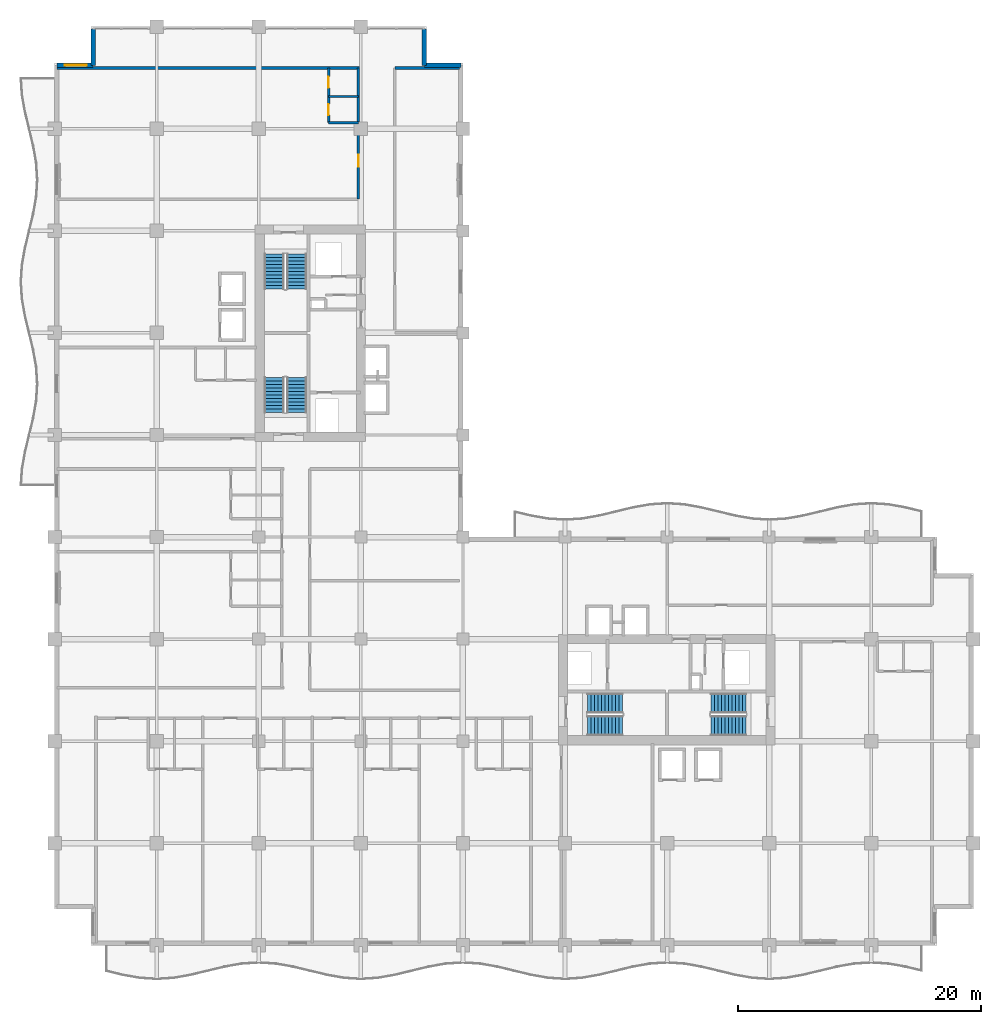
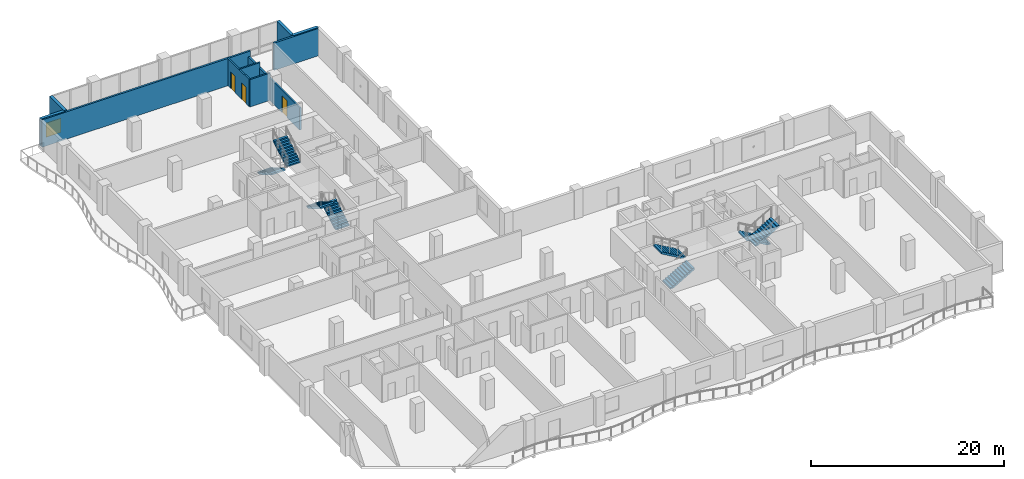
# One storey, part 13 of 20: 10 walls, 8 stair flights, 3 doors, 1 window, 4 openings, 4 elements without a shape of their own.
"""IFC4 building model written with IfcOpenShell, lengths in metres."""

from ifc_helpers import new_model, si_unit, direction, frame, frame_2d, origin, place, context, subcontext, project, spatial, polyline, rectangle, outline, extrude, material, layer, layer_set, type_object, element, fill, aggregate, save


model = new_model("IFC4")

# Units and contexts
model_context = context("Model", 3, precision=1e-05, world=origin(), true_north=direction((0.0, 1.0)))
body_context = subcontext(model_context, "Body", "Model", "MODEL_VIEW")
ifc_project = project(units=[si_unit("LENGTHUNIT", "METRE"), si_unit("AREAUNIT", "SQUARE_METRE"), si_unit("VOLUMEUNIT", "CUBIC_METRE"), si_unit("PLANEANGLEUNIT", "RADIAN"), si_unit("MASSUNIT", "GRAM", prefix="KILO")], contexts=[model_context])

# Site, building, storey
site_placement = place(None, origin())
site = spatial("IfcSite", under=ifc_project, at=site_placement, CompositionType="ELEMENT")
building_placement = place(site_placement, origin())
building = spatial("IfcBuilding", under=site, at=building_placement, Name="Koriwani Terraces Tower", CompositionType="ELEMENT")
storey_placement = place(building_placement, frame((0.0, 0.0, 175.39990234375)))
storey = spatial("IfcBuildingStorey", under=building, at=storey_placement, Name="L42", CompositionType="ELEMENT", Elevation=175.39990234375)

# Wall, opening, door
ifc_material_1 = material(Name="Autoclaved Cellular Concrete Blockwork", Category="masonry")
ifc_layer_1 = layer(ifc_material_1, 0.199951171875, Name="Autoclaved Cellular Concrete Blockwork")
ifc_layer_set_1 = layer_set([ifc_layer_1], Name="Autoclaved Cellular Concrete Blockwork")
wall_type_1 = type_object("IfcWallType", Name="WALL_CORRIDOR_200", PredefinedType="PARTITIONING", material=ifc_layer_set_1)
wall_1_placement = place(storey_placement, frame((25.0, 61.39990234375, 0.0), z_axis=(0.0, 0.0, 1.0), x_axis=(0.0, 1.0, 0.0)))
wall_1 = element("IfcWall", 1, at=wall_1_placement, inside=storey, type_object=wall_type_1, Name="L42 Interior Wall WRCOR-L42-NE-0", PredefinedType="PARTITIONING", context=body_context, shape_type="SweptSolid", body=[
    extrude(rectangle(XDim=10.800048828125, YDim=0.199951171875, at=frame_2d((5.39990234375, 0.0))), origin(), (0.0, 0.0, 1.0), 2.820068359375),
])
opening_1_placement = place(wall_1_placement, frame((2.669921875, 0.0, 0.0)))
opening_1 = element("IfcOpeningElement", 2, at=opening_1_placement, cuts=wall_1, Name="Opening D-05", PredefinedType="OPENING", context=body_context, shape_type="SweptSolid", body=[
    extrude(rectangle(XDim=1.0, YDim=2.14990234375, at=frame_2d((0.5, 1.074951171875))), frame((0.0, 0.10986328125, 0.0), z_axis=(0.0, -1.0, 0.0), x_axis=(1.0, 0.0, 0.0)), (0.0, 0.0, 1.0), 0.219970703125),
])
ifc_material_2 = material(Name="Architectural Oak Fire Door", Category="wood")
door_type_1 = type_object("IfcDoorType", Name="DOOR_SUITE_ENTRY_1000X2150", OperationType="NOTDEFINED", PredefinedType="DOOR", material=ifc_material_2)
door_1_placement = place(opening_1_placement, origin())
door_1 = element("IfcDoor", 3, at=door_1_placement, inside=storey, type_object=door_type_1, Name="Apartment 42NE1 Entrance Door", OperationType="SINGLE_SWING_RIGHT", OverallHeight=2.14990234375, OverallWidth=1.0, PredefinedType="DOOR", context=body_context, shape_type="SweptSolid", body=[
    extrude(rectangle(XDim=1.0, YDim=2.14990234375, at=frame_2d((0.5, 1.074951171875))), frame((0.0, 0.02490234375, 0.0), z_axis=(0.0, -1.0, 0.0), x_axis=(1.0, 0.0, 0.0)), (0.0, 0.0, 1.0), 0.050048828125),
])
fill(opening_1, door_1)

# Walls
ifc_layer_2 = layer(ifc_material_1, 0.219970703125, Name="Autoclaved Cellular Concrete Blockwork")
ifc_layer_set_2 = layer_set([ifc_layer_2], Name="Autoclaved Cellular Concrete Blockwork")
wall_type_2 = type_object("IfcWallType", Name="WALL_DEMISING_220", PredefinedType="PARTITIONING", material=ifc_layer_set_2)
wall_2_placement = place(storey_placement, frame((0.199951171875, 72.199951171875, 0.0), z_axis=(0.0, 0.0, 1.0), x_axis=(1.0, 0.0, 0.0)))
element("IfcWall", 4, at=wall_2_placement, inside=storey, type_object=wall_type_2, Name="L42 Interior Wall WRDEME-L42-NE", PredefinedType="PARTITIONING", context=body_context, shape_type="SweptSolid", body=[
    extrude(rectangle(XDim=24.97998046875, YDim=0.219970703125, at=frame_2d((12.489990234375, 0.0))), origin(), (0.0, 0.0, 1.0), 3.47021484375),
])
wall_3_placement = place(storey_placement, frame((28.0, 72.199951171875, 0.0), z_axis=(0.0, 0.0, 1.0), x_axis=(1.0, 0.0, 0.0)))
element("IfcWall", 5, at=wall_3_placement, inside=storey, type_object=wall_type_2, Name="L42 Interior Wall WNEC-N-L42", PredefinedType="PARTITIONING", context=body_context, shape_type="SweptSolid", body=[
    extrude(rectangle(XDim=5.300048828125, YDim=0.219970703125, at=frame_2d((2.64990234375, 0.0))), origin(), (0.0, 0.0, 1.0), 3.47021484375),
])

# Wall, opening, window
ifc_material_3 = material(Name="Concrete C50/60", Category="concrete")
ifc_layer_3 = layer(ifc_material_3, 0.35009765625, Name="Concrete C50/60")
ifc_layer_set_3 = layer_set([ifc_layer_3], Name="Concrete C50/60")
wall_type_3 = type_object("IfcWallType", Name="WALL_EXT_BRUTALIST_350", PredefinedType="STANDARD", material=ifc_layer_set_3)
wall_4_placement = place(storey_placement, frame((0.175048828125, 72.425048828125, 0.0), z_axis=(0.0, 0.0, 1.0), x_axis=(1.0, 0.0, 0.0)))
wall_4 = element("IfcWall", 6, at=wall_4_placement, inside=storey, type_object=wall_type_3, Name="L42 Fair-Faced Brutalist Exterior Wall (N3)", PredefinedType="STANDARD", context=body_context, shape_type="SweptSolid", body=[
    extrude(rectangle(XDim=3.0, YDim=0.35009765625, at=frame_2d((1.5, 0.0))), origin(), (0.0, 0.0, 1.0), 3.47021484375),
])
opening_2_placement = place(wall_4_placement, frame((0.677490234375, 0.0, 0.85009765625)))
opening_2 = element("IfcOpeningElement", 7, at=opening_2_placement, cuts=wall_4, Name="Opening W-04", PredefinedType="OPENING", context=body_context, shape_type="SweptSolid", body=[
    extrude(rectangle(XDim=1.800048828125, YDim=1.800048828125, at=frame_2d((0.89990234375, 0.89990234375))), frame((0.0, 0.18505859375, 0.0), z_axis=(0.0, -1.0, 0.0), x_axis=(1.0, 0.0, 0.0)), (0.0, 0.0, 1.0), 0.3701171875),
])
ifc_material_4 = material(Name="Tempered Laminated Low-E Glass", Category="glass")
window_type = type_object("IfcWindowType", Name="WIN_RES_BED_1800X1800", PartitioningType="DOUBLE_PANEL_VERTICAL", PredefinedType="WINDOW", material=ifc_material_4)
window_placement = place(opening_2_placement, origin())
window = element("IfcWindow", 8, at=window_placement, inside=storey, type_object=window_type, Name="L42 Exterior Window (N3-R51)", OverallHeight=1.800048828125, OverallWidth=1.800048828125, PartitioningType="SINGLE_PANEL", PredefinedType="WINDOW", context=body_context, shape_type="SweptSolid", body=[
    extrude(rectangle(XDim=1.800048828125, YDim=1.800048828125, at=frame_2d((0.89990234375, 0.89990234375))), frame((0.0, 0.030029296875, 0.0), z_axis=(0.0, -1.0, 0.0), x_axis=(1.0, 0.0, 0.0)), (0.0, 0.0, 1.0), 0.06005859375),
])
fill(opening_2, window)

# Walls
for number, where, z_axis, x_axis, name in (
    (9, (3.175048828125, 72.425048828125, 0.0), (0.0, 0.0, 1.0), (0.0, 1.0, 0.0), "L42 Fair-Faced Brutalist Exterior Wall (N4)"),
    (10, (30.425048828125, 75.425048828125, 0.0), (0.0, 0.0, 1.0), (0.0, -1.0, 0.0), "L42 Fair-Faced Brutalist Exterior Wall (N6)"),
    (11, (30.425048828125, 72.425048828125, 0.0), (0.0, 0.0, 1.0), (1.0, 0.0, 0.0), "L42 Fair-Faced Brutalist Exterior Wall (N7)"),
):
    element("IfcWall", number, at=place(storey_placement, frame(where, z_axis=z_axis, x_axis=x_axis)), inside=storey, type_object=wall_type_3, Name=name, PredefinedType="STANDARD", context=body_context, shape_type="SweptSolid", body=[
        extrude(rectangle(XDim=3.0, YDim=0.35009765625, at=frame_2d((1.5, 0.0))), origin(), (0.0, 0.0, 1.0), 3.47021484375),
    ])

# Wall, openings, doors
ifc_material_5 = material(Name="Fire-Rated Acoustic Gypsum Partition", Category="masonry")
ifc_layer_4 = layer(ifc_material_5, 0.179931640625, Name="Fire-Rated Acoustic Gypsum Partition")
ifc_layer_set_4 = layer_set([ifc_layer_4], Name="Fire-Rated Acoustic Gypsum Partition")
wall_type_4 = type_object("IfcWallType", Name="WALL_PLUMBING_180", PredefinedType="PLUMBINGWALL", material=ifc_layer_set_4)
wall_5_placement = place(storey_placement, frame((22.550048828125, 67.699951171875, 0.0), z_axis=(0.0, 0.0, 1.0), x_axis=(0.0, 1.0, 0.0)))
wall_5 = element("IfcWall", 12, at=wall_5_placement, inside=storey, type_object=wall_type_4, Name="L42 Interior Wall WRSVC-L42-NE-0", PredefinedType="PLUMBINGWALL", context=body_context, shape_type="SweptSolid", body=[
    extrude(rectangle(XDim=4.5, YDim=0.179931640625, at=frame_2d((2.25, 0.0))), origin(), (0.0, 0.0, 1.0), 3.47021484375),
])
opening_3_placement = place(wall_5_placement, frame((0.6298828125, 0.0, 0.0)))
opening_3 = element("IfcOpeningElement", 13, at=opening_3_placement, cuts=wall_5, Name="Opening D-07", PredefinedType="OPENING", context=body_context, shape_type="SweptSolid", body=[
    extrude(rectangle(XDim=0.89990234375, YDim=2.10009765625, at=frame_2d((0.449951171875, 1.050048828125))), frame((0.0, 0.10009765625, 0.0), z_axis=(0.0, -1.0, 0.0), x_axis=(1.0, 0.0, 0.0)), (0.0, 0.0, 1.0), 0.199951171875),
])
opening_4_placement = place(wall_5_placement, frame((2.8701171875, 0.0, 0.0)))
opening_4 = element("IfcOpeningElement", 14, at=opening_4_placement, cuts=wall_5, Name="Opening D-06", PredefinedType="OPENING", context=body_context, shape_type="SweptSolid", body=[
    extrude(rectangle(XDim=0.919921875, YDim=2.10009765625, at=frame_2d((0.4599609375, 1.050048828125))), frame((0.0, 0.10009765625, 0.0), z_axis=(0.0, -1.0, 0.0), x_axis=(1.0, 0.0, 0.0)), (0.0, 0.0, 1.0), 0.199951171875),
])
door_type_2 = type_object("IfcDoorType", Name="DOOR_BATH_INT_900X2100", OperationType="NOTDEFINED", PredefinedType="DOOR", material=ifc_material_2)
door_2_placement = place(opening_3_placement, origin())
door_2 = element("IfcDoor", 15, at=door_2_placement, inside=storey, type_object=door_type_2, Name="Apartment 42NE1 Bathroom Door", OperationType="SINGLE_SWING_LEFT", OverallHeight=2.10009765625, OverallWidth=0.89990234375, PredefinedType="DOOR", context=body_context, shape_type="SweptSolid", body=[
    extrude(rectangle(XDim=0.89990234375, YDim=2.10009765625, at=frame_2d((0.449951171875, 1.050048828125))), frame((0.0, 0.02490234375, 0.0), z_axis=(0.0, -1.0, 0.0), x_axis=(1.0, 0.0, 0.0)), (0.0, 0.0, 1.0), 0.050048828125),
])
fill(opening_3, door_2)
door_type_3 = type_object("IfcDoorType", Name="DOOR_ROOM_INT_920X2100", OperationType="NOTDEFINED", PredefinedType="DOOR", material=ifc_material_2)
door_3_placement = place(opening_4_placement, origin())
door_3 = element("IfcDoor", 16, at=door_3_placement, inside=storey, type_object=door_type_3, Name="Apartment 42NE1 Kitchen Door", OperationType="SINGLE_SWING_RIGHT", OverallHeight=2.10009765625, OverallWidth=0.919921875, PredefinedType="DOOR", context=body_context, shape_type="SweptSolid", body=[
    extrude(rectangle(XDim=0.919921875, YDim=2.10009765625, at=frame_2d((0.4599609375, 1.050048828125))), frame((0.0, 0.02490234375, 0.0), z_axis=(0.0, -1.0, 0.0), x_axis=(1.0, 0.0, 0.0)), (0.0, 0.0, 1.0), 0.050048828125),
])
fill(opening_4, door_3)

# Walls
for number, where, z_axis, x_axis, name in (
    (17, (22.550048828125, 67.699951171875, 0.0), (0.0, 0.0, 1.0), (1.0, 0.0, 0.0), "L42 Interior Wall WRSVCS-L42-NE-0"),
    (18, (22.550048828125, 69.860107421875, 0.0), (0.0, 0.0, 1.0), (1.0, 0.0, 0.0), "L42 Interior Wall WRSVCM-L42-NE-0"),
):
    element("IfcWall", number, at=place(storey_placement, frame(where, z_axis=z_axis, x_axis=x_axis)), inside=storey, type_object=wall_type_4, Name=name, PredefinedType="PLUMBINGWALL", context=body_context, shape_type="SweptSolid", body=[
        extrude(rectangle(XDim=2.449951171875, YDim=0.179931640625, at=frame_2d((1.22509765625, 0.0))), origin(), (0.0, 0.0, 1.0), 3.47021484375),
    ])

# Stair, stair flights
ifc_material_6 = material(Name="Concrete C40/50", Category="concrete")
stair_type = type_object("IfcStairType", Name="STAIR_CORE_DOGLEG_1650", PredefinedType="TWO_STRAIGHT_RUN_STAIR", material=ifc_material_6)
stair_1_placement = place(storey_placement, origin())
stair_1 = element("IfcStair", 19, at=stair_1_placement, inside=storey, type_object=stair_type, Name="L42 West Core Exit Stair 1", PredefinedType="HALF_TURN_STAIR")
stair_flight_type = type_object("IfcStairFlightType", Name="STAIR_FLIGHT_RC_1650", PredefinedType="STRAIGHT", material=ifc_material_6)
stair_flight_1_placement = place(storey_placement, frame((19.925048828125, 43.85009765625, 0.0), z_axis=(0.0, 0.0, 1.0), x_axis=(0.0, 1.0, 0.0)))
stair_flight_1 = element("IfcStairFlight", 20, at=stair_flight_1_placement, type_object=stair_flight_type, Name="ST-W1 flight 1", NumberOfRisers=11, NumberOfTreads=10, PredefinedType="STRAIGHT", RiserHeight=0.168181818, TreadLength=0.29, context=body_context, shape_type="SweptSolid", body=[
    extrude(outline(polyline([(0.0, 0.0), (0.0, 0.168212890625), (0.2900390625, 0.168212890625), (0.2900390625, 0.33642578125), (0.580078125, 0.33642578125), (0.580078125, 0.504638671875), (0.8701171875, 0.504638671875), (0.8701171875, 0.672607421875), (1.159912109375, 0.672607421875), (1.159912109375, 0.8408203125), (1.449951171875, 0.8408203125), (1.449951171875, 1.009033203125), (1.739990234375, 1.009033203125), (1.739990234375, 1.17724609375), (2.030029296875, 1.17724609375), (2.030029296875, 1.345458984375), (2.320068359375, 1.345458984375), (2.320068359375, 1.513671875), (2.610107421875, 1.513671875), (2.610107421875, 1.681884765625), (2.89990234375, 1.681884765625), (2.89990234375, 1.85009765625), (2.89990234375, 1.473876953125), (0.358642578125, 0.0), (0.0, 0.0)])), frame((0.0, 0.824951171875, 0.0), z_axis=(0.0, -1.0, 0.0), x_axis=(1.0, 0.0, 0.0)), (0.0, 0.0, 1.0), 1.64990234375),
])
stair_flight_2_placement = place(storey_placement, frame((18.074951171875, 46.75, 1.85009765625), z_axis=(0.0, 0.0, 1.0), x_axis=(0.0, -1.0, 0.0)))
stair_flight_2 = element("IfcStairFlight", 21, at=stair_flight_2_placement, type_object=stair_flight_type, Name="ST-W1 flight 2", NumberOfRisers=11, NumberOfTreads=10, PredefinedType="STRAIGHT", RiserHeight=0.168181818, TreadLength=0.29, context=body_context, shape_type="SweptSolid", body=[
    extrude(outline(polyline([(0.0, 0.0), (0.0, 0.168212890625), (0.2900390625, 0.168212890625), (0.2900390625, 0.33642578125), (0.580078125, 0.33642578125), (0.580078125, 0.504638671875), (0.8701171875, 0.504638671875), (0.8701171875, 0.672607421875), (1.159912109375, 0.672607421875), (1.159912109375, 0.8408203125), (1.449951171875, 0.8408203125), (1.449951171875, 1.009033203125), (1.739990234375, 1.009033203125), (1.739990234375, 1.17724609375), (2.030029296875, 1.17724609375), (2.030029296875, 1.345458984375), (2.320068359375, 1.345458984375), (2.320068359375, 1.513671875), (2.610107421875, 1.513671875), (2.610107421875, 1.681884765625), (2.89990234375, 1.681884765625), (2.89990234375, 1.85009765625), (2.89990234375, 1.473876953125), (0.358642578125, 0.0), (0.0, 0.0)])), frame((0.0, 0.824951171875, 0.0), z_axis=(0.0, -1.0, 0.0), x_axis=(1.0, 0.0, 0.0)), (0.0, 0.0, 1.0), 1.64990234375),
])
aggregate(stair_1, [stair_flight_1, stair_flight_2])

stair_2_placement = place(storey_placement, origin())
stair_2 = element("IfcStair", 22, at=stair_2_placement, inside=storey, type_object=stair_type, Name="L42 West Core Exit Stair 2", PredefinedType="HALF_TURN_STAIR")
stair_flight_3_placement = place(storey_placement, frame((18.074951171875, 56.89990234375, 0.0), z_axis=(0.0, 0.0, 1.0), x_axis=(0.0, -1.0, 0.0)))
stair_flight_3 = element("IfcStairFlight", 23, at=stair_flight_3_placement, type_object=stair_flight_type, Name="ST-W2 flight 1", NumberOfRisers=11, NumberOfTreads=10, PredefinedType="STRAIGHT", RiserHeight=0.168181818, TreadLength=0.29, context=body_context, shape_type="SweptSolid", body=[
    extrude(outline(polyline([(0.0, 0.0), (0.0, 0.168212890625), (0.2900390625, 0.168212890625), (0.2900390625, 0.33642578125), (0.580078125, 0.33642578125), (0.580078125, 0.504638671875), (0.8701171875, 0.504638671875), (0.8701171875, 0.672607421875), (1.159912109375, 0.672607421875), (1.159912109375, 0.8408203125), (1.449951171875, 0.8408203125), (1.449951171875, 1.009033203125), (1.739990234375, 1.009033203125), (1.739990234375, 1.17724609375), (2.030029296875, 1.17724609375), (2.030029296875, 1.345458984375), (2.320068359375, 1.345458984375), (2.320068359375, 1.513671875), (2.610107421875, 1.513671875), (2.610107421875, 1.681884765625), (2.89990234375, 1.681884765625), (2.89990234375, 1.85009765625), (2.89990234375, 1.473876953125), (0.358642578125, 0.0), (0.0, 0.0)])), frame((0.0, 0.824951171875, 0.0), z_axis=(0.0, -1.0, 0.0), x_axis=(1.0, 0.0, 0.0)), (0.0, 0.0, 1.0), 1.64990234375),
])
stair_flight_4_placement = place(storey_placement, frame((19.925048828125, 54.0, 1.85009765625), z_axis=(0.0, 0.0, 1.0), x_axis=(0.0, 1.0, 0.0)))
stair_flight_4 = element("IfcStairFlight", 24, at=stair_flight_4_placement, type_object=stair_flight_type, Name="ST-W2 flight 2", NumberOfRisers=11, NumberOfTreads=10, PredefinedType="STRAIGHT", RiserHeight=0.168181818, TreadLength=0.29, context=body_context, shape_type="SweptSolid", body=[
    extrude(outline(polyline([(0.0, 0.0), (0.0, 0.168212890625), (0.2900390625, 0.168212890625), (0.2900390625, 0.33642578125), (0.580078125, 0.33642578125), (0.580078125, 0.504638671875), (0.8701171875, 0.504638671875), (0.8701171875, 0.672607421875), (1.159912109375, 0.672607421875), (1.159912109375, 0.8408203125), (1.449951171875, 0.8408203125), (1.449951171875, 1.009033203125), (1.739990234375, 1.009033203125), (1.739990234375, 1.17724609375), (2.030029296875, 1.17724609375), (2.030029296875, 1.345458984375), (2.320068359375, 1.345458984375), (2.320068359375, 1.513671875), (2.610107421875, 1.513671875), (2.610107421875, 1.681884765625), (2.89990234375, 1.681884765625), (2.89990234375, 1.85009765625), (2.89990234375, 1.473876953125), (0.358642578125, 0.0), (0.0, 0.0)])), frame((0.0, 0.824951171875, 0.0), z_axis=(0.0, -1.0, 0.0), x_axis=(1.0, 0.0, 0.0)), (0.0, 0.0, 1.0), 1.64990234375),
])
aggregate(stair_2, [stair_flight_3, stair_flight_4])

stair_3_placement = place(storey_placement, origin())
stair_3 = element("IfcStair", 25, at=stair_3_placement, inside=storey, type_object=stair_type, Name="L42 East Core Exit Stair 1", PredefinedType="HALF_TURN_STAIR")
stair_flight_5_placement = place(storey_placement, frame((43.85009765625, 18.074951171875, 0.0), z_axis=(0.0, 0.0, 1.0), x_axis=(1.0, 0.0, 0.0)))
stair_flight_5 = element("IfcStairFlight", 26, at=stair_flight_5_placement, type_object=stair_flight_type, Name="ST-E1 flight 1", NumberOfRisers=11, NumberOfTreads=10, PredefinedType="STRAIGHT", RiserHeight=0.168181818, TreadLength=0.29, context=body_context, shape_type="SweptSolid", body=[
    extrude(outline(polyline([(0.0, 0.0), (0.0, 0.168212890625), (0.2900390625, 0.168212890625), (0.2900390625, 0.33642578125), (0.580078125, 0.33642578125), (0.580078125, 0.504638671875), (0.8701171875, 0.504638671875), (0.8701171875, 0.672607421875), (1.159912109375, 0.672607421875), (1.159912109375, 0.8408203125), (1.449951171875, 0.8408203125), (1.449951171875, 1.009033203125), (1.739990234375, 1.009033203125), (1.739990234375, 1.17724609375), (2.030029296875, 1.17724609375), (2.030029296875, 1.345458984375), (2.320068359375, 1.345458984375), (2.320068359375, 1.513671875), (2.610107421875, 1.513671875), (2.610107421875, 1.681884765625), (2.89990234375, 1.681884765625), (2.89990234375, 1.85009765625), (2.89990234375, 1.473876953125), (0.358642578125, 0.0), (0.0, 0.0)])), frame((0.0, 0.824951171875, 0.0), z_axis=(0.0, -1.0, 0.0), x_axis=(1.0, 0.0, 0.0)), (0.0, 0.0, 1.0), 1.64990234375),
])
stair_flight_6_placement = place(storey_placement, frame((46.75, 19.925048828125, 1.85009765625), z_axis=(0.0, 0.0, 1.0), x_axis=(-1.0, 0.0, 0.0)))
stair_flight_6 = element("IfcStairFlight", 27, at=stair_flight_6_placement, type_object=stair_flight_type, Name="ST-E1 flight 2", NumberOfRisers=11, NumberOfTreads=10, PredefinedType="STRAIGHT", RiserHeight=0.168181818, TreadLength=0.29, context=body_context, shape_type="SweptSolid", body=[
    extrude(outline(polyline([(0.0, 0.0), (0.0, 0.168212890625), (0.2900390625, 0.168212890625), (0.2900390625, 0.33642578125), (0.580078125, 0.33642578125), (0.580078125, 0.504638671875), (0.8701171875, 0.504638671875), (0.8701171875, 0.672607421875), (1.159912109375, 0.672607421875), (1.159912109375, 0.8408203125), (1.449951171875, 0.8408203125), (1.449951171875, 1.009033203125), (1.739990234375, 1.009033203125), (1.739990234375, 1.17724609375), (2.030029296875, 1.17724609375), (2.030029296875, 1.345458984375), (2.320068359375, 1.345458984375), (2.320068359375, 1.513671875), (2.610107421875, 1.513671875), (2.610107421875, 1.681884765625), (2.89990234375, 1.681884765625), (2.89990234375, 1.85009765625), (2.89990234375, 1.473876953125), (0.358642578125, 0.0), (0.0, 0.0)])), frame((0.0, 0.824951171875, 0.0), z_axis=(0.0, -1.0, 0.0), x_axis=(1.0, 0.0, 0.0)), (0.0, 0.0, 1.0), 1.64990234375),
])
aggregate(stair_3, [stair_flight_5, stair_flight_6])

stair_4_placement = place(storey_placement, origin())
stair_4 = element("IfcStair", 28, at=stair_4_placement, inside=storey, type_object=stair_type, Name="L42 East Core Exit Stair 2", PredefinedType="HALF_TURN_STAIR")
stair_flight_7_placement = place(storey_placement, frame((56.89990234375, 19.925048828125, 0.0), z_axis=(0.0, 0.0, 1.0), x_axis=(-1.0, 0.0, 0.0)))
stair_flight_7 = element("IfcStairFlight", 29, at=stair_flight_7_placement, type_object=stair_flight_type, Name="ST-E2 flight 1", NumberOfRisers=11, NumberOfTreads=10, PredefinedType="STRAIGHT", RiserHeight=0.168181818, TreadLength=0.29, context=body_context, shape_type="SweptSolid", body=[
    extrude(outline(polyline([(0.0, 0.0), (0.0, 0.168212890625), (0.2900390625, 0.168212890625), (0.2900390625, 0.33642578125), (0.580078125, 0.33642578125), (0.580078125, 0.504638671875), (0.8701171875, 0.504638671875), (0.8701171875, 0.672607421875), (1.159912109375, 0.672607421875), (1.159912109375, 0.8408203125), (1.449951171875, 0.8408203125), (1.449951171875, 1.009033203125), (1.739990234375, 1.009033203125), (1.739990234375, 1.17724609375), (2.030029296875, 1.17724609375), (2.030029296875, 1.345458984375), (2.320068359375, 1.345458984375), (2.320068359375, 1.513671875), (2.610107421875, 1.513671875), (2.610107421875, 1.681884765625), (2.89990234375, 1.681884765625), (2.89990234375, 1.85009765625), (2.89990234375, 1.473876953125), (0.358642578125, 0.0), (0.0, 0.0)])), frame((0.0, 0.824951171875, 0.0), z_axis=(0.0, -1.0, 0.0), x_axis=(1.0, 0.0, 0.0)), (0.0, 0.0, 1.0), 1.64990234375),
])
stair_flight_8_placement = place(storey_placement, frame((54.0, 18.074951171875, 1.85009765625), z_axis=(0.0, 0.0, 1.0), x_axis=(1.0, 0.0, 0.0)))
stair_flight_8 = element("IfcStairFlight", 30, at=stair_flight_8_placement, type_object=stair_flight_type, Name="ST-E2 flight 2", NumberOfRisers=11, NumberOfTreads=10, PredefinedType="STRAIGHT", RiserHeight=0.168181818, TreadLength=0.29, context=body_context, shape_type="SweptSolid", body=[
    extrude(outline(polyline([(0.0, 0.0), (0.0, 0.168212890625), (0.2900390625, 0.168212890625), (0.2900390625, 0.33642578125), (0.580078125, 0.33642578125), (0.580078125, 0.504638671875), (0.8701171875, 0.504638671875), (0.8701171875, 0.672607421875), (1.159912109375, 0.672607421875), (1.159912109375, 0.8408203125), (1.449951171875, 0.8408203125), (1.449951171875, 1.009033203125), (1.739990234375, 1.009033203125), (1.739990234375, 1.17724609375), (2.030029296875, 1.17724609375), (2.030029296875, 1.345458984375), (2.320068359375, 1.345458984375), (2.320068359375, 1.513671875), (2.610107421875, 1.513671875), (2.610107421875, 1.681884765625), (2.89990234375, 1.681884765625), (2.89990234375, 1.85009765625), (2.89990234375, 1.473876953125), (0.358642578125, 0.0), (0.0, 0.0)])), frame((0.0, 0.824951171875, 0.0), z_axis=(0.0, -1.0, 0.0), x_axis=(1.0, 0.0, 0.0)), (0.0, 0.0, 1.0), 1.64990234375),
])
aggregate(stair_4, [stair_flight_7, stair_flight_8])

save(model, "model.ifc")
